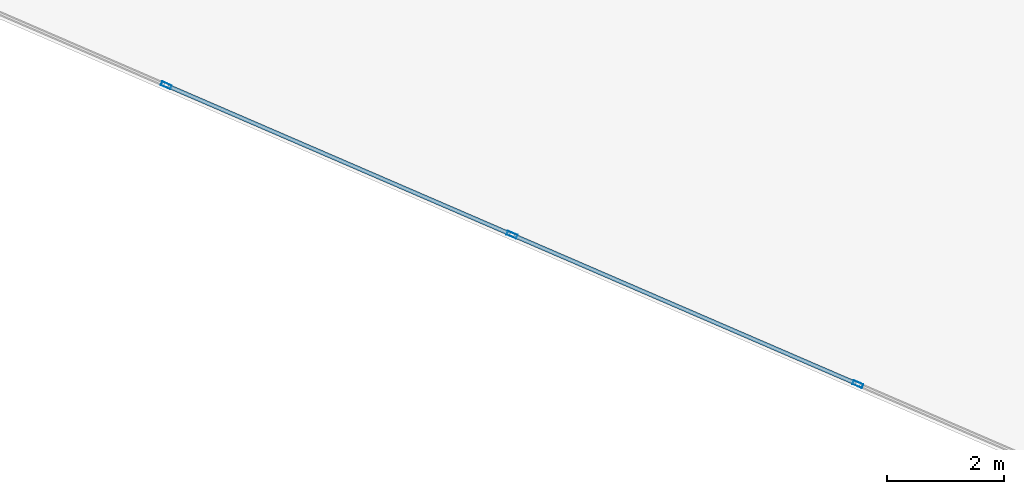
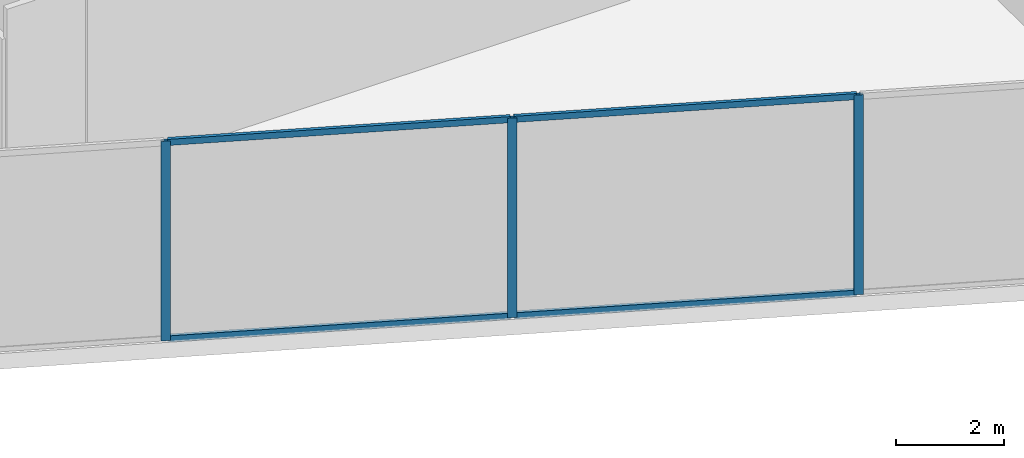
# One storey, part 3 of 24: 7 members, 1 element without a shape of its own.
"""IFC4 building model written with IfcOpenShell, lengths in metres."""

from ifc_helpers import new_model, si_unit, direction, frame, origin, origin_2d, place, context, subcontext, project, spatial, hollow_rectangle, extrude, source, transform, mapped, material, material_profile, profile_set, type_object, type_shapes, element, aggregate, save


model = new_model("IFC4")

# Units and contexts
model_context = context("Model", 3, precision=1e-05, world=origin(), true_north=direction((0.0, 1.0)))
body_context = subcontext(model_context, "Body", "Model", "MODEL_VIEW")
ifc_project = project(units=[si_unit("LENGTHUNIT", "METRE"), si_unit("AREAUNIT", "SQUARE_METRE"), si_unit("VOLUMEUNIT", "CUBIC_METRE"), si_unit("PLANEANGLEUNIT", "RADIAN"), si_unit("MASSUNIT", "GRAM", prefix="KILO")], contexts=[model_context])

# Site, building, storey
site_placement = place(None, origin())
site = spatial("IfcSite", under=ifc_project, at=site_placement, CompositionType="ELEMENT")
building_placement = place(site_placement, origin())
building = spatial("IfcBuilding", under=site, at=building_placement, Name="Krantzveldt Concourse Tower", CompositionType="ELEMENT")
storey_placement = place(building_placement, frame((0.0, 0.0, 141.39990234375)))
storey = spatial("IfcBuildingStorey", under=building, at=storey_placement, Name="L34", CompositionType="ELEMENT", Elevation=141.39990234375)

# Curtain wall, members
ifc_material = material(Name="Anodised aluminium 6063-T6", Category="aluminium")
curtain_wall_type = type_object("IfcCurtainWallType", Name="CW5", PredefinedType="USERDEFINED", material=ifc_material)
curtain_wall_placement = place(storey_placement, origin())
curtain_wall = element("IfcCurtainWall", 1, at=curtain_wall_placement, inside=storey, type_object=curtain_wall_type, Name="CW-L34-F04", ObjectType="UNITISED CURTAIN WALL", PredefinedType="USERDEFINED")
ifc_material_profile_1 = material_profile(ifc_material, hollow_rectangle(XDim=0.070068359375, YDim=0.139892578125, WallThickness=0.0048828125, at=origin_2d()), Name="Anodised aluminium 6063-T6", Category="aluminium")
ifc_profile_set_1 = profile_set([ifc_material_profile_1], Name="Anodised aluminium 6063-T6 - ALU-TRAN 140x70x5")
member_type_1 = type_object("IfcMemberType", Name="CW-TRN-150", PredefinedType="USERDEFINED", material=ifc_profile_set_1)
shared_shape_1 = source(origin(), body_context, "Body", "SweptSolid", [
    extrude(hollow_rectangle(XDim=0.070068359375, YDim=0.139892578125, WallThickness=0.0048828125, at=origin_2d()), origin(), (0.0, 0.0, 1.0), 6.396484375),
])
type_shapes(member_type_1, [shared_shape_1])
member_1_placement = place(storey_placement, frame((26.783935546875, 5.289306640625, 0.03515625), z_axis=(0.91792654531, -0.396750371663, 0.0), x_axis=(0.396750371663, 0.91792654531, 0.0)))
member_1 = element("IfcMember", 2, at=member_1_placement, type_object=member_type_1, Name="CW-SKY transom 4.1", ObjectType="TRANSOM", PredefinedType="USERDEFINED", context=body_context, shape_type="MappedRepresentation", body=[
    mapped(shared_shape_1, transform((0.0, 0.0, 0.0), x_axis=(1.0, 0.0, 0.0), y_axis=(0.0, 1.0, 0.0), z_axis=(0.0, 0.0, 1.0), scale=1.0)),
])
member_2_placement = place(storey_placement, frame((26.783935546875, 5.289306640625, 4.485107421875), z_axis=(0.91792654531, -0.396750371663, 0.0), x_axis=(0.396750371663, 0.91792654531, 0.0)))
member_2 = element("IfcMember", 3, at=member_2_placement, type_object=member_type_1, Name="CW-SKY transom 4.2", ObjectType="TRANSOM", PredefinedType="USERDEFINED", context=body_context, shape_type="MappedRepresentation", body=[
    mapped(shared_shape_1, transform((0.0, 0.0, 0.0), x_axis=(1.0, 0.0, 0.0), y_axis=(0.0, 1.0, 0.0), z_axis=(0.0, 0.0, 1.0), scale=1.0)),
])
member_3_placement = place(storey_placement, frame((32.719970703125, 2.7236328125, 0.03515625), z_axis=(0.91792654531, -0.396750371663, 0.0), x_axis=(0.396750371663, 0.91792654531, 0.0)))
member_3 = element("IfcMember", 4, at=member_3_placement, type_object=member_type_1, Name="CW-SKY transom 5.1", ObjectType="TRANSOM", PredefinedType="USERDEFINED", context=body_context, shape_type="MappedRepresentation", body=[
    mapped(shared_shape_1, transform((0.0, 0.0, 0.0), x_axis=(1.0, 0.0, 0.0), y_axis=(0.0, 1.0, 0.0), z_axis=(0.0, 0.0, 1.0), scale=1.0)),
])
member_4_placement = place(storey_placement, frame((32.719970703125, 2.7236328125, 4.485107421875), z_axis=(0.91792654531, -0.396750371663, 0.0), x_axis=(0.396750371663, 0.91792654531, 0.0)))
member_4 = element("IfcMember", 5, at=member_4_placement, type_object=member_type_1, Name="CW-SKY transom 5.2", ObjectType="TRANSOM", PredefinedType="USERDEFINED", context=body_context, shape_type="MappedRepresentation", body=[
    mapped(shared_shape_1, transform((0.0, 0.0, 0.0), x_axis=(1.0, 0.0, 0.0), y_axis=(0.0, 1.0, 0.0), z_axis=(0.0, 0.0, 1.0), scale=1.0)),
])
ifc_material_profile_2 = material_profile(ifc_material, hollow_rectangle(XDim=0.070068359375, YDim=0.179931640625, WallThickness=0.0048828125, at=origin_2d()), Name="Anodised aluminium 6063-T6", Category="aluminium")
ifc_profile_set_2 = profile_set([ifc_material_profile_2], Name="Anodised aluminium 6063-T6 - ALU-MULL 180x70x5")
member_type_2 = type_object("IfcMemberType", Name="CW-MUL-180", PredefinedType="MULLION", material=ifc_profile_set_2)
shared_shape_2 = source(origin(), body_context, "Body", "SweptSolid", [
    extrude(hollow_rectangle(XDim=0.070068359375, YDim=0.179931640625, WallThickness=0.0048828125, at=origin_2d()), origin(), (0.0, 0.0, 1.0), 4.52001953125),
])
type_shapes(member_type_2, [shared_shape_2])
member_5_placement = place(storey_placement, frame((26.751708984375, 5.302978515625, 0.0), z_axis=(0.0, 0.0, 1.0), x_axis=(0.396747417177, 0.917927822306, 0.0)))
member_5 = element("IfcMember", 6, at=member_5_placement, type_object=member_type_2, Name="CW-SKY mullion 4", PredefinedType="MULLION", context=body_context, shape_type="MappedRepresentation", body=[
    mapped(shared_shape_2, transform((0.0, 0.0, 0.0), x_axis=(1.0, 0.0, 0.0), y_axis=(0.0, 1.0, 0.0), z_axis=(0.0, 0.0, 1.0), scale=1.0)),
])
member_6_placement = place(storey_placement, frame((32.687744140625, 2.737548828125, 0.0), z_axis=(0.0, 0.0, 1.0), x_axis=(0.396747417177, 0.917927822306, 0.0)))
member_6 = element("IfcMember", 7, at=member_6_placement, type_object=member_type_2, Name="CW-SKY mullion 5", PredefinedType="MULLION", context=body_context, shape_type="MappedRepresentation", body=[
    mapped(shared_shape_2, transform((0.0, 0.0, 0.0), x_axis=(1.0, 0.0, 0.0), y_axis=(0.0, 1.0, 0.0), z_axis=(0.0, 0.0, 1.0), scale=1.0)),
])
member_7_placement = place(storey_placement, frame((38.623779296875, 0.171875, 0.0), z_axis=(0.0, 0.0, 1.0), x_axis=(0.396747417177, 0.917927822306, 0.0)))
member_7 = element("IfcMember", 8, at=member_7_placement, type_object=member_type_2, Name="CW-SKY mullion 6", PredefinedType="MULLION", context=body_context, shape_type="MappedRepresentation", body=[
    mapped(shared_shape_2, transform((0.0, 0.0, 0.0), x_axis=(1.0, 0.0, 0.0), y_axis=(0.0, 1.0, 0.0), z_axis=(0.0, 0.0, 1.0), scale=1.0)),
])
aggregate(curtain_wall, [member_5, member_6, member_7, member_1, member_2, member_3, member_4])

save(model, "model.ifc")
